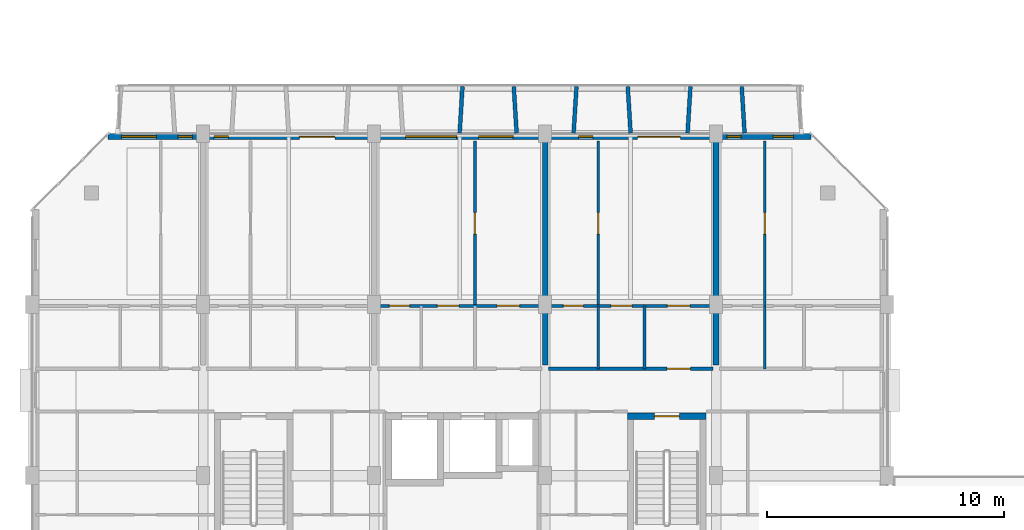
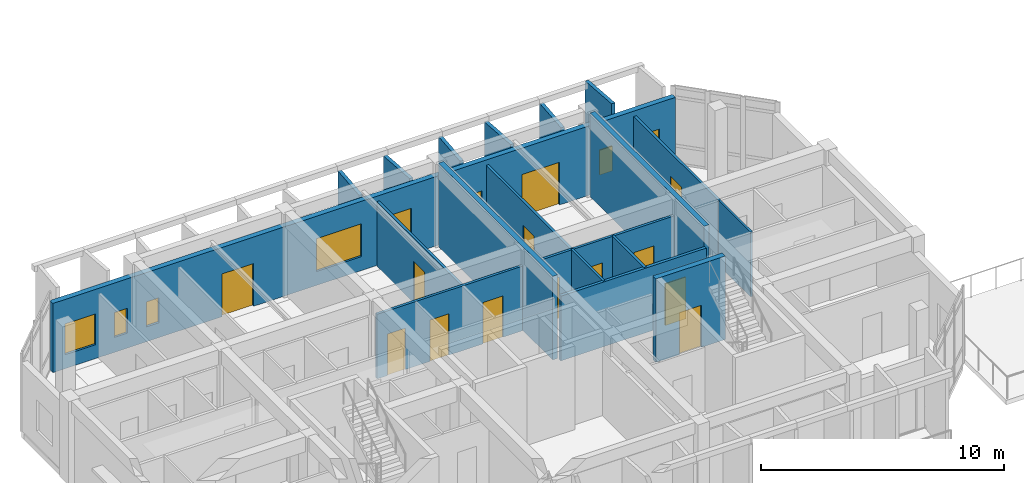
# One storey, part 53 of 85: 19 walls, 13 doors, 8 windows, 21 openings.
"""IFC4 building model written with IfcOpenShell, lengths in metres."""

from ifc_helpers import new_model, si_unit, direction, frame, frame_2d, origin, place, context, subcontext, project, spatial, rectangle, extrude, material, layer, layer_set, type_object, element, fill, save


model = new_model("IFC4")

# Units and contexts
model_context = context("Model", 3, precision=1e-05, world=origin(), true_north=direction((0.0, 1.0)))
body_context = subcontext(model_context, "Body", "Model", "MODEL_VIEW")
ifc_project = project(units=[si_unit("LENGTHUNIT", "METRE"), si_unit("AREAUNIT", "SQUARE_METRE"), si_unit("VOLUMEUNIT", "CUBIC_METRE"), si_unit("PLANEANGLEUNIT", "RADIAN"), si_unit("MASSUNIT", "GRAM", prefix="KILO")], contexts=[model_context])

# Site, building, storey
site_placement = place(None, origin())
site = spatial("IfcSite", under=ifc_project, at=site_placement, CompositionType="ELEMENT")
building_placement = place(site_placement, origin())
building = spatial("IfcBuilding", under=site, at=building_placement, Name="Ochrevale Crest", CompositionType="ELEMENT")
storey_placement = place(building_placement, frame((0.0, 0.0, 4.5)))
storey = spatial("IfcBuildingStorey", under=building, at=storey_placement, Name="L01", CompositionType="ELEMENT", Elevation=4.5)

# Wall, opening, door
ifc_material_1 = material(Name="Gypsum plasterboard", Category="gypsum")
ifc_layer_1 = layer(ifc_material_1, 0.139892578125)
ifc_layer_set_1 = layer_set([ifc_layer_1], Name="Gypsum plasterboard")
wall_type_1 = type_object("IfcWallType", Name="WL-COR-140", PredefinedType="PARTITIONING", material=ifc_layer_set_1)
wall_1_placement = place(storey_placement, frame((21.739990234375, 83.699951171875, 0.0), z_axis=(0.0, 0.0, 1.0), x_axis=(1.0, 0.0, 0.0)))
wall_1 = element("IfcWall", 1, at=wall_1_placement, inside=storey, type_object=wall_type_1, Name="Apartment B-L01-U4 corridor wall", PredefinedType="PARTITIONING", context=body_context, shape_type="SweptSolid", body=[
    extrude(rectangle(XDim=6.919921875, YDim=0.139892578125, at=frame_2d((3.4599609375, 0.0))), origin(), (0.0, 0.0, 1.0), 3.25),
])
opening_1_placement = place(wall_1_placement, frame((4.9951171875, 0.0, 0.0)))
opening_1 = element("IfcOpeningElement", 2, at=opening_1_placement, cuts=wall_1, Name="Opening FD01", PredefinedType="OPENING", context=body_context, shape_type="SweptSolid", body=[
    extrude(rectangle(XDim=0.97998046875, YDim=2.10009765625, at=frame_2d((0.489990234375, 1.050048828125))), frame((0.0, 0.080078125, 0.0), z_axis=(0.0, -1.0, 0.0), x_axis=(1.0, 0.0, 0.0)), (0.0, 0.0, 1.0), 0.159912109375),
])
ifc_material_2 = material(Name="Solid-core FSC hardwood", Category="wood")
door_type_1 = type_object("IfcDoorType", Name="DR-APT-950", OperationType="NOTDEFINED", PredefinedType="DOOR", material=ifc_material_2)
door_1_placement = place(opening_1_placement, origin())
door_1 = element("IfcDoor", 3, at=door_1_placement, inside=storey, type_object=door_type_1, Name="Apartment B-L01-U4 entrance door", OperationType="SINGLE_SWING_LEFT", OverallHeight=2.10009765625, OverallWidth=0.97998046875, PredefinedType="DOOR", context=body_context, shape_type="SweptSolid", body=[
    extrude(rectangle(XDim=0.97998046875, YDim=2.10009765625, at=frame_2d((0.489990234375, 1.050048828125))), frame((0.0, 0.02490234375, 0.0), z_axis=(0.0, -1.0, 0.0), x_axis=(1.0, 0.0, 0.0)), (0.0, 0.0, 1.0), 0.050048828125),
])
fill(opening_1, door_1)

ifc_material_3 = material(Name="Precast concrete C50/60", Category="concrete")
ifc_layer_2 = layer(ifc_material_3, 0.2548828125)
ifc_layer_set_2 = layer_set([ifc_layer_2], Name="Precast concrete C50/60")
wall_type_2 = type_object("IfcWallType", Name="WL-CORE-255", PredefinedType="SHEAR", material=ifc_layer_set_2)
wall_2_placement = place(storey_placement, frame((25.072509765625, 81.699951171875, 0.0), z_axis=(0.0, 0.0, 1.0), x_axis=(1.0, 0.0, 0.0)))
wall_2 = element("IfcWall", 4, at=wall_2_placement, inside=storey, type_object=wall_type_2, Name="Block B L01 Stair 2 precast core shear wall N", PredefinedType="SHEAR", context=body_context, shape_type="SweptSolid", body=[
    extrude(rectangle(XDim=3.304931640625, YDim=0.2548828125, at=frame_2d((1.65234375, 0.0))), origin(), (0.0, 0.0, 1.0), 4.199951171875),
])
opening_2_placement = place(wall_2_placement, frame((1.12744140625, 0.0, 0.0)))
opening_2 = element("IfcOpeningElement", 5, at=opening_2_placement, cuts=wall_2, Name="Opening FD03", PredefinedType="OPENING", context=body_context, shape_type="SweptSolid", body=[
    extrude(rectangle(XDim=1.050048828125, YDim=2.1201171875, at=frame_2d((0.52490234375, 1.06005859375))), frame((0.0, 0.137451171875, 0.0), z_axis=(0.0, -1.0, 0.0), x_axis=(1.0, 0.0, 0.0)), (0.0, 0.0, 1.0), 0.27490234375),
])
door_type_2 = type_object("IfcDoorType", Name="DR-ST-1050", OperationType="NOTDEFINED", PredefinedType="DOOR", material=ifc_material_2)
door_2_placement = place(opening_2_placement, origin())
door_2 = element("IfcDoor", 6, at=door_2_placement, inside=storey, type_object=door_type_2, Name="Block B L01 fire stair 2 door", OperationType="SINGLE_SWING_LEFT", OverallHeight=2.1201171875, OverallWidth=1.050048828125, PredefinedType="DOOR", context=body_context, shape_type="SweptSolid", body=[
    extrude(rectangle(XDim=1.050048828125, YDim=2.1201171875, at=frame_2d((0.52490234375, 1.06005859375))), frame((0.0, 0.02490234375, 0.0), z_axis=(0.0, -1.0, 0.0), x_axis=(1.0, 0.0, 0.0)), (0.0, 0.0, 1.0), 0.050048828125),
])
fill(opening_2, door_2)

# Wall, openings, doors, windows
ifc_material_4 = material(Name="Precast concrete C40/50", Category="concrete")
ifc_layer_3 = layer(ifc_material_4, 0.25)
ifc_layer_set_3 = layer_set([ifc_layer_3], Name="Precast concrete C40/50")
wall_type_3 = type_object("IfcWallType", Name="WL-EXT-GOLD-250", PredefinedType="SOLIDWALL", material=ifc_layer_set_3)
wall_3_placement = place(storey_placement, frame((32.800048828125, 93.47509765625, 0.0), z_axis=(0.0, 0.0, 1.0), x_axis=(-1.0, 0.0, 0.0)))
wall_3 = element("IfcWall", 7, at=wall_3_placement, inside=storey, type_object=wall_type_3, Name="Block B L01 external facade wall E5", PredefinedType="SOLIDWALL", context=body_context, shape_type="SweptSolid", body=[
    extrude(rectangle(XDim=29.60009765625, YDim=0.25, at=frame_2d((14.800048828125, 0.0))), origin(), (0.0, 0.0, 1.0), 3.47998046875),
])
opening_3_placement = place(wall_3_placement, frame((21.550048828125, 0.0, 0.0), z_axis=(0.0, 0.0, 1.0), x_axis=(-1.0, 0.0, 0.0)))
opening_3 = element("IfcOpeningElement", 8, at=opening_3_placement, cuts=wall_3, Name="Opening BD01", PredefinedType="OPENING", context=body_context, shape_type="SweptSolid", body=[
    extrude(rectangle(XDim=1.5, YDim=2.14990234375, at=frame_2d((0.75, 1.074951171875))), frame((0.0, 0.135009765625, 0.0), z_axis=(0.0, -1.0, 0.0), x_axis=(1.0, 0.0, 0.0)), (0.0, 0.0, 1.0), 0.27001953125),
])
opening_4_placement = place(wall_3_placement, frame((7.300048828125, 0.0, 0.0), z_axis=(0.0, 0.0, 1.0), x_axis=(-1.0, 0.0, 0.0)))
opening_4 = element("IfcOpeningElement", 9, at=opening_4_placement, cuts=wall_3, Name="Opening BD03", PredefinedType="OPENING", context=body_context, shape_type="SweptSolid", body=[
    extrude(rectangle(XDim=1.800048828125, YDim=2.14990234375, at=frame_2d((0.89990234375, 1.074951171875))), frame((0.0, 0.135009765625, 0.0), z_axis=(0.0, -1.0, 0.0), x_axis=(1.0, 0.0, 0.0)), (0.0, 0.0, 1.0), 0.27001953125),
])
opening_5_placement = place(wall_3_placement, frame((27.570068359375, 0.0, 0.699951171875)))
opening_5 = element("IfcOpeningElement", 10, at=opening_5_placement, cuts=wall_3, Name="Opening W08", PredefinedType="OPENING", context=body_context, shape_type="SweptSolid", body=[
    extrude(rectangle(XDim=1.4599609375, YDim=1.550048828125, at=frame_2d((0.72998046875, 0.77490234375))), frame((0.0, 0.135009765625, 0.0), z_axis=(0.0, -1.0, 0.0), x_axis=(1.0, 0.0, 0.0)), (0.0, 0.0, 1.0), 0.27001953125),
])
opening_6_placement = place(wall_3_placement, frame((26.0576171875, 0.0, 0.75)))
opening_6 = element("IfcOpeningElement", 11, at=opening_6_placement, cuts=wall_3, Name="Opening W01", PredefinedType="OPENING", context=body_context, shape_type="SweptSolid", body=[
    extrude(rectangle(XDim=0.60009765625, YDim=1.25, at=frame_2d((0.300048828125, 0.625))), frame((0.0, 0.135009765625, 0.0), z_axis=(0.0, -1.0, 0.0), x_axis=(1.0, 0.0, 0.0)), (0.0, 0.0, 1.0), 0.27001953125),
])
opening_7_placement = place(wall_3_placement, frame((24.54248046875, 0.0, 0.75)))
opening_7 = element("IfcOpeningElement", 12, at=opening_7_placement, cuts=wall_3, Name="Opening W01", PredefinedType="OPENING", context=body_context, shape_type="SweptSolid", body=[
    extrude(rectangle(XDim=0.60009765625, YDim=1.25, at=frame_2d((0.300048828125, 0.625))), frame((0.0, 0.135009765625, 0.0), z_axis=(0.0, -1.0, 0.0), x_axis=(1.0, 0.0, 0.0)), (0.0, 0.0, 1.0), 0.27001953125),
])
opening_8_placement = place(wall_3_placement, frame((14.925048828125, 0.0, 0.699951171875)))
opening_8 = element("IfcOpeningElement", 13, at=opening_8_placement, cuts=wall_3, Name="Opening W13", PredefinedType="OPENING", context=body_context, shape_type="SweptSolid", body=[
    extrude(rectangle(XDim=2.14990234375, YDim=1.64990234375, at=frame_2d((1.074951171875, 0.824951171875))), frame((0.0, 0.135009765625, 0.0), z_axis=(0.0, -1.0, 0.0), x_axis=(1.0, 0.0, 0.0)), (0.0, 0.0, 1.0), 0.27001953125),
])
opening_9_placement = place(wall_3_placement, frame((12.544921875, 0.0, 0.75)))
opening_9 = element("IfcOpeningElement", 14, at=opening_9_placement, cuts=wall_3, Name="Opening W08", PredefinedType="OPENING", context=body_context, shape_type="SweptSolid", body=[
    extrude(rectangle(XDim=1.4599609375, YDim=1.550048828125, at=frame_2d((0.72998046875, 0.77490234375))), frame((0.0, 0.135009765625, 0.0), z_axis=(0.0, -1.0, 0.0), x_axis=(1.0, 0.0, 0.0)), (0.0, 0.0, 1.0), 0.27001953125),
])
opening_10_placement = place(wall_3_placement, frame((9.18505859375, 0.0, 0.75)))
opening_10 = element("IfcOpeningElement", 15, at=opening_10_placement, cuts=wall_3, Name="Opening W01", PredefinedType="OPENING", context=body_context, shape_type="SweptSolid", body=[
    extrude(rectangle(XDim=0.60009765625, YDim=1.25, at=frame_2d((0.300048828125, 0.625))), frame((0.0, 0.135009765625, 0.0), z_axis=(0.0, -1.0, 0.0), x_axis=(1.0, 0.0, 0.0)), (0.0, 0.0, 1.0), 0.27001953125),
])
opening_11_placement = place(wall_3_placement, frame((2.9423828125, 0.0, 0.75)))
opening_11 = element("IfcOpeningElement", 16, at=opening_11_placement, cuts=wall_3, Name="Opening W01", PredefinedType="OPENING", context=body_context, shape_type="SweptSolid", body=[
    extrude(rectangle(XDim=0.60009765625, YDim=1.25, at=frame_2d((0.300048828125, 0.625))), frame((0.0, 0.135009765625, 0.0), z_axis=(0.0, -1.0, 0.0), x_axis=(1.0, 0.0, 0.0)), (0.0, 0.0, 1.0), 0.27001953125),
])
opening_12_placement = place(wall_3_placement, frame((0.7451171875, 0.0, 0.75)))
opening_12 = element("IfcOpeningElement", 17, at=opening_12_placement, cuts=wall_3, Name="Opening W03", PredefinedType="OPENING", context=body_context, shape_type="SweptSolid", body=[
    extrude(rectangle(XDim=0.85009765625, YDim=1.39990234375, at=frame_2d((0.425048828125, 0.699951171875))), frame((0.0, 0.135009765625, 0.0), z_axis=(0.0, -1.0, 0.0), x_axis=(1.0, 0.0, 0.0)), (0.0, 0.0, 1.0), 0.27001953125),
])
ifc_material_5 = material(Name="Anodised aluminium 6063-T5 and toughened glass", Category="aluminium")
door_type_3 = type_object("IfcDoorType", Name="DR-BAL-1500", OperationType="NOTDEFINED", PredefinedType="DOOR", material=ifc_material_5)
door_3_placement = place(opening_3_placement, origin())
door_3 = element("IfcDoor", 18, at=door_3_placement, inside=storey, type_object=door_type_3, Name="Block B L01 balcony door N2", OperationType="SINGLE_SWING_LEFT", OverallHeight=2.14990234375, OverallWidth=1.5, PredefinedType="DOOR", context=body_context, shape_type="SweptSolid", body=[
    extrude(rectangle(XDim=1.5, YDim=2.14990234375, at=frame_2d((0.75, 1.074951171875))), frame((0.0, 0.02490234375, 0.0), z_axis=(0.0, -1.0, 0.0), x_axis=(1.0, 0.0, 0.0)), (0.0, 0.0, 1.0), 0.050048828125),
])
fill(opening_3, door_3)
door_type_4 = type_object("IfcDoorType", Name="DR-BAL-1800", OperationType="NOTDEFINED", PredefinedType="DOOR", material=ifc_material_5)
door_4_placement = place(opening_4_placement, origin())
door_4 = element("IfcDoor", 19, at=door_4_placement, inside=storey, type_object=door_type_4, Name="Block B L01 balcony door N4", OperationType="SINGLE_SWING_RIGHT", OverallHeight=2.14990234375, OverallWidth=1.800048828125, PredefinedType="DOOR", context=body_context, shape_type="SweptSolid", body=[
    extrude(rectangle(XDim=1.800048828125, YDim=2.14990234375, at=frame_2d((0.89990234375, 1.074951171875))), frame((0.0, 0.02490234375, 0.0), z_axis=(0.0, -1.0, 0.0), x_axis=(1.0, 0.0, 0.0)), (0.0, 0.0, 1.0), 0.050048828125),
])
fill(opening_4, door_4)
ifc_material_6 = material(Name="Anodised aluminium 6063-T5 and low-E double glazing", Category="aluminium")
window_type_1 = type_object("IfcWindowType", Name="WIN-W01", PartitioningType="SINGLE_PANEL", PredefinedType="WINDOW", material=ifc_material_6)
window_1_placement = place(opening_6_placement, origin())
window_1 = element("IfcWindow", 20, at=window_1_placement, inside=storey, type_object=window_type_1, Name="Block B L01 Apartment B-L01-U1 Three Bedroom Family Living window", OverallHeight=1.25, OverallWidth=0.60009765625, PartitioningType="SINGLE_PANEL", PredefinedType="WINDOW", context=body_context, shape_type="SweptSolid", body=[
    extrude(rectangle(XDim=0.60009765625, YDim=1.25, at=frame_2d((0.300048828125, 0.625))), frame((0.0, 0.030029296875, 0.0), z_axis=(0.0, -1.0, 0.0), x_axis=(1.0, 0.0, 0.0)), (0.0, 0.0, 1.0), 0.06005859375),
])
fill(opening_6, window_1)
window_2_placement = place(opening_7_placement, origin())
window_2 = element("IfcWindow", 21, at=window_2_placement, inside=storey, type_object=window_type_1, Name="Block B L01 Apartment B-L01-U2 Double Bedroom window", OverallHeight=1.25, OverallWidth=0.60009765625, PartitioningType="SINGLE_PANEL", PredefinedType="WINDOW", context=body_context, shape_type="SweptSolid", body=[
    extrude(rectangle(XDim=0.60009765625, YDim=1.25, at=frame_2d((0.300048828125, 0.625))), frame((0.0, 0.030029296875, 0.0), z_axis=(0.0, -1.0, 0.0), x_axis=(1.0, 0.0, 0.0)), (0.0, 0.0, 1.0), 0.06005859375),
])
fill(opening_7, window_2)
window_3_placement = place(opening_10_placement, origin())
window_3 = element("IfcWindow", 22, at=window_3_placement, inside=storey, type_object=window_type_1, Name="Block B L01 Apartment B-L01-U4 Master Bedroom window", OverallHeight=1.25, OverallWidth=0.60009765625, PartitioningType="SINGLE_PANEL", PredefinedType="WINDOW", context=body_context, shape_type="SweptSolid", body=[
    extrude(rectangle(XDim=0.60009765625, YDim=1.25, at=frame_2d((0.300048828125, 0.625))), frame((0.0, 0.030029296875, 0.0), z_axis=(0.0, -1.0, 0.0), x_axis=(1.0, 0.0, 0.0)), (0.0, 0.0, 1.0), 0.06005859375),
])
fill(opening_10, window_3)
window_4_placement = place(opening_11_placement, origin())
window_4 = element("IfcWindow", 23, at=window_4_placement, inside=storey, type_object=window_type_1, Name="Block B L01 Apartment B-L01-U5 Twin Bedroom window", OverallHeight=1.25, OverallWidth=0.60009765625, PartitioningType="SINGLE_PANEL", PredefinedType="WINDOW", context=body_context, shape_type="SweptSolid", body=[
    extrude(rectangle(XDim=0.60009765625, YDim=1.25, at=frame_2d((0.300048828125, 0.625))), frame((0.0, 0.030029296875, 0.0), z_axis=(0.0, -1.0, 0.0), x_axis=(1.0, 0.0, 0.0)), (0.0, 0.0, 1.0), 0.06005859375),
])
fill(opening_11, window_4)
window_type_2 = type_object("IfcWindowType", Name="WIN-W03", PartitioningType="SINGLE_PANEL", PredefinedType="WINDOW", material=ifc_material_6)
window_5_placement = place(opening_12_placement, origin())
window_5 = element("IfcWindow", 24, at=window_5_placement, inside=storey, type_object=window_type_2, Name="Block B L01 Apartment B-L01-U5 Three Bedroom Family Living window", OverallHeight=1.39990234375, OverallWidth=0.85009765625, PartitioningType="SINGLE_PANEL", PredefinedType="WINDOW", context=body_context, shape_type="SweptSolid", body=[
    extrude(rectangle(XDim=0.85009765625, YDim=1.39990234375, at=frame_2d((0.425048828125, 0.699951171875))), frame((0.0, 0.030029296875, 0.0), z_axis=(0.0, -1.0, 0.0), x_axis=(1.0, 0.0, 0.0)), (0.0, 0.0, 1.0), 0.06005859375),
])
fill(opening_12, window_5)
window_type_3 = type_object("IfcWindowType", Name="WIN-W08", PartitioningType="SINGLE_PANEL", PredefinedType="WINDOW", material=ifc_material_6)
window_6_placement = place(opening_5_placement, origin())
window_6 = element("IfcWindow", 25, at=window_6_placement, inside=storey, type_object=window_type_3, Name="Block B L01 Apartment B-L01-U1 Twin Bedroom window", OverallHeight=1.550048828125, OverallWidth=1.4599609375, PartitioningType="SINGLE_PANEL", PredefinedType="WINDOW", context=body_context, shape_type="SweptSolid", body=[
    extrude(rectangle(XDim=1.4599609375, YDim=1.550048828125, at=frame_2d((0.72998046875, 0.77490234375))), frame((0.0, 0.030029296875, 0.0), z_axis=(0.0, -1.0, 0.0), x_axis=(1.0, 0.0, 0.0)), (0.0, 0.0, 1.0), 0.06005859375),
])
fill(opening_5, window_6)
window_7_placement = place(opening_9_placement, origin())
window_7 = element("IfcWindow", 26, at=window_7_placement, inside=storey, type_object=window_type_3, Name="Block B L01 Apartment B-L01-U3 One Bedroom Living Room window", OverallHeight=1.550048828125, OverallWidth=1.4599609375, PartitioningType="SINGLE_PANEL", PredefinedType="WINDOW", context=body_context, shape_type="SweptSolid", body=[
    extrude(rectangle(XDim=1.4599609375, YDim=1.550048828125, at=frame_2d((0.72998046875, 0.77490234375))), frame((0.0, 0.030029296875, 0.0), z_axis=(0.0, -1.0, 0.0), x_axis=(1.0, 0.0, 0.0)), (0.0, 0.0, 1.0), 0.06005859375),
])
fill(opening_9, window_7)
window_type_4 = type_object("IfcWindowType", Name="WIN-W13", PartitioningType="SINGLE_PANEL", PredefinedType="WINDOW", material=ifc_material_6)
window_8_placement = place(opening_8_placement, origin())
window_8 = element("IfcWindow", 27, at=window_8_placement, inside=storey, type_object=window_type_4, Name="Block B L01 Apartment B-L01-U3 Master Bedroom window", OverallHeight=1.64990234375, OverallWidth=2.14990234375, PartitioningType="SINGLE_PANEL", PredefinedType="WINDOW", context=body_context, shape_type="SweptSolid", body=[
    extrude(rectangle(XDim=2.14990234375, YDim=1.64990234375, at=frame_2d((1.074951171875, 0.824951171875))), frame((0.0, 0.030029296875, 0.0), z_axis=(0.0, -1.0, 0.0), x_axis=(1.0, 0.0, 0.0)), (0.0, 0.0, 1.0), 0.06005859375),
])
fill(opening_8, window_8)

# Walls
ifc_layer_4 = layer(ifc_material_4, 0.1650390625)
ifc_layer_set_4 = layer_set([ifc_layer_4], Name="Precast concrete C40/50")
wall_type_4 = type_object("IfcWallType", Name="WL-HC-CHEEK-165", PredefinedType="ELEMENTEDWALL", material=ifc_layer_set_4)
for number, where, z_axis, x_axis, name in (
    (28, (18.0, 93.6201171875, 0.0), (0.0, 0.0, 1.0), (0.061170732449, 0.998127317276, 0.0), "Block B L01 N precast honeycomb cheek 7"),
    (29, (20.39990234375, 93.6201171875, 0.0), (0.0, 0.0, 1.0), (-0.061046865508, 0.998134900808, 0.0), "Block B L01 N precast honeycomb cheek 8"),
):
    element("IfcWall", number, at=place(storey_placement, frame(where, z_axis=z_axis, x_axis=x_axis)), inside=storey, type_object=wall_type_4, Name=name, PredefinedType="ELEMENTEDWALL", context=body_context, shape_type="SweptSolid", body=[
        extrude(rectangle(XDim=1.963623046875, YDim=0.1650390625, at=frame_2d((0.98193359375, 0.0))), origin(), (0.0, 0.0, 1.0), 3.60009765625),
    ])
for number, where, z_axis, x_axis, name in (
    (30, (22.800048828125, 93.6201171875, 0.0), (0.0, 0.0, 1.0), (0.061046865508, 0.998134900808, 0.0), "Block B L01 N precast honeycomb cheek 9"),
    (31, (25.199951171875, 93.6201171875, 0.0), (0.0, 0.0, 1.0), (-0.061046865508, 0.998134900808, 0.0), "Block B L01 N precast honeycomb cheek 10"),
    (32, (27.60009765625, 93.6201171875, 0.0), (0.0, 0.0, 1.0), (0.061046865508, 0.998134900808, 0.0), "Block B L01 N precast honeycomb cheek 11"),
):
    element("IfcWall", number, at=place(storey_placement, frame(where, z_axis=z_axis, x_axis=x_axis)), inside=storey, type_object=wall_type_4, Name=name, PredefinedType="ELEMENTEDWALL", context=body_context, shape_type="SweptSolid", body=[
        extrude(rectangle(XDim=1.963623046875, YDim=0.1650390625, at=frame_2d((0.98193359375, 0.0))), origin(), (0.0, 0.0, 1.0), 3.6298828125),
    ])
wall_4_placement = place(storey_placement, frame((30.0, 93.6201171875, 0.0), z_axis=(0.0, 0.0, 1.0), x_axis=(-0.061170732449, 0.998127317276, 0.0)))
element("IfcWall", 33, at=wall_4_placement, inside=storey, type_object=wall_type_4, Name="Block B L01 N precast honeycomb cheek 12", PredefinedType="ELEMENTEDWALL", context=body_context, shape_type="SweptSolid", body=[
    extrude(rectangle(XDim=1.963623046875, YDim=0.1650390625, at=frame_2d((0.98193359375, 0.0))), origin(), (0.0, 0.0, 1.0), 4.0),
])

# Wall, openings, doors
ifc_layer_5 = layer(ifc_material_1, 0.1201171875)
ifc_layer_set_5 = layer_set([ifc_layer_5], Name="Gypsum plasterboard")
wall_type_5 = type_object("IfcWallType", Name="WL-PART-120", PredefinedType="PARTITIONING", material=ifc_layer_set_5)
wall_5_placement = place(storey_placement, frame((14.5400390625, 86.35009765625, 0.0), z_axis=(0.0, 0.0, 1.0), x_axis=(1.0, 0.0, 0.0)))
wall_5 = element("IfcWall", 34, at=wall_5_placement, inside=storey, type_object=wall_type_5, Name="Apartment B-L01-U3 central partition", PredefinedType="PARTITIONING", context=body_context, shape_type="SweptSolid", body=[
    extrude(rectangle(XDim=6.919921875, YDim=0.1201171875, at=frame_2d((3.4599609375, 0.0))), origin(), (0.0, 0.0, 1.0), 3.25),
])
opening_13_placement = place(wall_5_placement, frame((0.5, 0.0, 0.0)))
opening_13 = element("IfcOpeningElement", 35, at=opening_13_placement, cuts=wall_5, Name="Opening ID01", PredefinedType="OPENING", context=body_context, shape_type="SweptSolid", body=[
    extrude(rectangle(XDim=0.85009765625, YDim=2.080078125, at=frame_2d((0.425048828125, 1.0400390625))), frame((0.0, 0.070068359375, 0.0), z_axis=(0.0, -1.0, 0.0), x_axis=(1.0, 0.0, 0.0)), (0.0, 0.0, 1.0), 0.14013671875),
])
opening_14_placement = place(wall_5_placement, frame((3.4248046875, 0.0, 0.0), z_axis=(0.0, 0.0, 1.0), x_axis=(-1.0, 0.0, 0.0)))
opening_14 = element("IfcOpeningElement", 36, at=opening_14_placement, cuts=wall_5, Name="Opening ID02", PredefinedType="OPENING", context=body_context, shape_type="SweptSolid", body=[
    extrude(rectangle(XDim=0.89990234375, YDim=2.080078125, at=frame_2d((0.449951171875, 1.0400390625))), frame((0.0, 0.070068359375, 0.0), z_axis=(0.0, -1.0, 0.0), x_axis=(1.0, 0.0, 0.0)), (0.0, 0.0, 1.0), 0.14013671875),
])
opening_15_placement = place(wall_5_placement, frame((5.034912109375, 0.0, 0.0)))
opening_15 = element("IfcOpeningElement", 37, at=opening_15_placement, cuts=wall_5, Name="Opening ID06", PredefinedType="OPENING", context=body_context, shape_type="SweptSolid", body=[
    extrude(rectangle(XDim=0.949951171875, YDim=2.080078125, at=frame_2d((0.47509765625, 1.0400390625))), frame((0.0, 0.070068359375, 0.0), z_axis=(0.0, -1.0, 0.0), x_axis=(1.0, 0.0, 0.0)), (0.0, 0.0, 1.0), 0.14013671875),
])
door_type_5 = type_object("IfcDoorType", Name="DR-INT-900", OperationType="NOTDEFINED", PredefinedType="DOOR", material=ifc_material_2)
door_5_placement = place(opening_14_placement, origin())
door_5 = element("IfcDoor", 38, at=door_5_placement, inside=storey, type_object=door_type_5, Name="Apartment B-L01-U3 Kitchen door", OperationType="SINGLE_SWING_RIGHT", OverallHeight=2.080078125, OverallWidth=0.89990234375, PredefinedType="DOOR", context=body_context, shape_type="SweptSolid", body=[
    extrude(rectangle(XDim=0.89990234375, YDim=2.080078125, at=frame_2d((0.449951171875, 1.0400390625))), frame((0.0, 0.02490234375, 0.0), z_axis=(0.0, -1.0, 0.0), x_axis=(1.0, 0.0, 0.0)), (0.0, 0.0, 1.0), 0.050048828125),
])
fill(opening_14, door_5)
door_type_6 = type_object("IfcDoorType", Name="DR-INT-950", OperationType="NOTDEFINED", PredefinedType="DOOR", material=ifc_material_2)
door_6_placement = place(opening_15_placement, origin())
door_6 = element("IfcDoor", 39, at=door_6_placement, inside=storey, type_object=door_type_6, Name="Apartment B-L01-U3 Living Foyer door", OperationType="SINGLE_SWING_LEFT", OverallHeight=2.080078125, OverallWidth=0.949951171875, PredefinedType="DOOR", context=body_context, shape_type="SweptSolid", body=[
    extrude(rectangle(XDim=0.949951171875, YDim=2.080078125, at=frame_2d((0.47509765625, 1.0400390625))), frame((0.0, 0.02490234375, 0.0), z_axis=(0.0, -1.0, 0.0), x_axis=(1.0, 0.0, 0.0)), (0.0, 0.0, 1.0), 0.050048828125),
])
fill(opening_15, door_6)
door_type_7 = type_object("IfcDoorType", Name="DR-WC-850", OperationType="NOTDEFINED", PredefinedType="DOOR", material=ifc_material_2)
door_7_placement = place(opening_13_placement, origin())
door_7 = element("IfcDoor", 40, at=door_7_placement, inside=storey, type_object=door_type_7, Name="Apartment B-L01-U3 Bathroom door", OperationType="SINGLE_SWING_LEFT", OverallHeight=2.080078125, OverallWidth=0.85009765625, PredefinedType="DOOR", context=body_context, shape_type="SweptSolid", body=[
    extrude(rectangle(XDim=0.85009765625, YDim=2.080078125, at=frame_2d((0.425048828125, 1.0400390625))), frame((0.0, 0.02490234375, 0.0), z_axis=(0.0, -1.0, 0.0), x_axis=(1.0, 0.0, 0.0)), (0.0, 0.0, 1.0), 0.050048828125),
])
fill(opening_13, door_7)

# Wall, opening, door
wall_6_placement = place(storey_placement, frame((18.639892578125, 86.35009765625, 0.0), z_axis=(0.0, 0.0, 1.0), x_axis=(0.0, 1.0, 0.0)))
wall_6 = element("IfcWall", 41, at=wall_6_placement, inside=storey, type_object=wall_type_5, Name="Apartment B-L01-U3 bedroom partition", PredefinedType="PARTITIONING", context=body_context, shape_type="SweptSolid", body=[
    extrude(rectangle(XDim=6.949951171875, YDim=0.1201171875, at=frame_2d((3.47509765625, 0.0))), origin(), (0.0, 0.0, 1.0), 3.25),
])
opening_16_placement = place(wall_6_placement, frame((3.9248046875, 0.0, 0.0), z_axis=(0.0, 0.0, 1.0), x_axis=(-1.0, 0.0, 0.0)))
opening_16 = element("IfcOpeningElement", 42, at=opening_16_placement, cuts=wall_6, Name="Opening ID02", PredefinedType="OPENING", context=body_context, shape_type="SweptSolid", body=[
    extrude(rectangle(XDim=0.89990234375, YDim=2.080078125, at=frame_2d((0.449951171875, 1.0400390625))), frame((0.0, 0.070068359375, 0.0), z_axis=(0.0, -1.0, 0.0), x_axis=(1.0, 0.0, 0.0)), (0.0, 0.0, 1.0), 0.14013671875),
])
door_8_placement = place(opening_16_placement, origin())
door_8 = element("IfcDoor", 43, at=door_8_placement, inside=storey, type_object=door_type_5, Name="Apartment B-L01-U3 Master Bedroom door", OperationType="SINGLE_SWING_RIGHT", OverallHeight=2.080078125, OverallWidth=0.89990234375, PredefinedType="DOOR", context=body_context, shape_type="SweptSolid", body=[
    extrude(rectangle(XDim=0.89990234375, YDim=2.080078125, at=frame_2d((0.449951171875, 1.0400390625))), frame((0.0, 0.02490234375, 0.0), z_axis=(0.0, -1.0, 0.0), x_axis=(1.0, 0.0, 0.0)), (0.0, 0.0, 1.0), 0.050048828125),
])
fill(opening_16, door_8)

# Wall
wall_7_placement = place(storey_placement, frame((25.7900390625, 83.699951171875, 0.0), z_axis=(0.0, 0.0, 1.0), x_axis=(0.0, 1.0, 0.0)))
element("IfcWall", 44, at=wall_7_placement, inside=storey, type_object=wall_type_5, Name="Apartment B-L01-U4 kitchen-foyer wall", PredefinedType="PARTITIONING", context=body_context, shape_type="SweptSolid", body=[
    extrude(rectangle(XDim=2.650146484375, YDim=0.1201171875, at=frame_2d((1.3251953125, 0.0))), origin(), (0.0, 0.0, 1.0), 3.25),
])

# Wall, openings, doors
wall_8_placement = place(storey_placement, frame((21.739990234375, 86.35009765625, 0.0), z_axis=(0.0, 0.0, 1.0), x_axis=(1.0, 0.0, 0.0)))
wall_8 = element("IfcWall", 45, at=wall_8_placement, inside=storey, type_object=wall_type_5, Name="Apartment B-L01-U4 central partition", PredefinedType="PARTITIONING", context=body_context, shape_type="SweptSolid", body=[
    extrude(rectangle(XDim=6.919921875, YDim=0.1201171875, at=frame_2d((3.4599609375, 0.0))), origin(), (0.0, 0.0, 1.0), 3.25),
])
opening_17_placement = place(wall_8_placement, frame((1.47509765625, 0.0, 0.0), z_axis=(0.0, 0.0, 1.0), x_axis=(-1.0, 0.0, 0.0)))
opening_17 = element("IfcOpeningElement", 46, at=opening_17_placement, cuts=wall_8, Name="Opening ID01", PredefinedType="OPENING", context=body_context, shape_type="SweptSolid", body=[
    extrude(rectangle(XDim=0.85009765625, YDim=2.080078125, at=frame_2d((0.425048828125, 1.0400390625))), frame((0.0, 0.070068359375, 0.0), z_axis=(0.0, -1.0, 0.0), x_axis=(1.0, 0.0, 0.0)), (0.0, 0.0, 1.0), 0.14013671875),
])
opening_18_placement = place(wall_8_placement, frame((2.625, 0.0, 0.0)))
opening_18 = element("IfcOpeningElement", 47, at=opening_18_placement, cuts=wall_8, Name="Opening ID02", PredefinedType="OPENING", context=body_context, shape_type="SweptSolid", body=[
    extrude(rectangle(XDim=0.89990234375, YDim=2.080078125, at=frame_2d((0.449951171875, 1.0400390625))), frame((0.0, 0.070068359375, 0.0), z_axis=(0.0, -1.0, 0.0), x_axis=(1.0, 0.0, 0.0)), (0.0, 0.0, 1.0), 0.14013671875),
])
opening_19_placement = place(wall_8_placement, frame((5.9599609375, 0.0, 0.0), z_axis=(0.0, 0.0, 1.0), x_axis=(-1.0, 0.0, 0.0)))
opening_19 = element("IfcOpeningElement", 48, at=opening_19_placement, cuts=wall_8, Name="Opening ID06", PredefinedType="OPENING", context=body_context, shape_type="SweptSolid", body=[
    extrude(rectangle(XDim=0.949951171875, YDim=2.080078125, at=frame_2d((0.47509765625, 1.0400390625))), frame((0.0, 0.070068359375, 0.0), z_axis=(0.0, -1.0, 0.0), x_axis=(1.0, 0.0, 0.0)), (0.0, 0.0, 1.0), 0.14013671875),
])
door_9_placement = place(opening_18_placement, origin())
door_9 = element("IfcDoor", 49, at=door_9_placement, inside=storey, type_object=door_type_5, Name="Apartment B-L01-U4 Kitchen door", OperationType="SINGLE_SWING_LEFT", OverallHeight=2.080078125, OverallWidth=0.89990234375, PredefinedType="DOOR", context=body_context, shape_type="SweptSolid", body=[
    extrude(rectangle(XDim=0.89990234375, YDim=2.080078125, at=frame_2d((0.449951171875, 1.0400390625))), frame((0.0, 0.02490234375, 0.0), z_axis=(0.0, -1.0, 0.0), x_axis=(1.0, 0.0, 0.0)), (0.0, 0.0, 1.0), 0.050048828125),
])
fill(opening_18, door_9)
door_10_placement = place(opening_19_placement, origin())
door_10 = element("IfcDoor", 50, at=door_10_placement, inside=storey, type_object=door_type_6, Name="Apartment B-L01-U4 Living Foyer door", OperationType="SINGLE_SWING_RIGHT", OverallHeight=2.080078125, OverallWidth=0.949951171875, PredefinedType="DOOR", context=body_context, shape_type="SweptSolid", body=[
    extrude(rectangle(XDim=0.949951171875, YDim=2.080078125, at=frame_2d((0.47509765625, 1.0400390625))), frame((0.0, 0.02490234375, 0.0), z_axis=(0.0, -1.0, 0.0), x_axis=(1.0, 0.0, 0.0)), (0.0, 0.0, 1.0), 0.050048828125),
])
fill(opening_19, door_10)
door_11_placement = place(opening_17_placement, origin())
door_11 = element("IfcDoor", 51, at=door_11_placement, inside=storey, type_object=door_type_7, Name="Apartment B-L01-U4 Bathroom door", OperationType="SINGLE_SWING_RIGHT", OverallHeight=2.080078125, OverallWidth=0.85009765625, PredefinedType="DOOR", context=body_context, shape_type="SweptSolid", body=[
    extrude(rectangle(XDim=0.85009765625, YDim=2.080078125, at=frame_2d((0.425048828125, 1.0400390625))), frame((0.0, 0.02490234375, 0.0), z_axis=(0.0, -1.0, 0.0), x_axis=(1.0, 0.0, 0.0)), (0.0, 0.0, 1.0), 0.050048828125),
])
fill(opening_17, door_11)

# Wall, opening, door
wall_9_placement = place(storey_placement, frame((23.840087890625, 86.35009765625, 0.0), z_axis=(0.0, 0.0, 1.0), x_axis=(0.0, 1.0, 0.0)))
wall_9 = element("IfcWall", 52, at=wall_9_placement, inside=storey, type_object=wall_type_5, Name="Apartment B-L01-U4 bedroom partition", PredefinedType="PARTITIONING", context=body_context, shape_type="SweptSolid", body=[
    extrude(rectangle(XDim=6.949951171875, YDim=0.1201171875, at=frame_2d((3.47509765625, 0.0))), origin(), (0.0, 0.0, 1.0), 3.25),
])
opening_20_placement = place(wall_9_placement, frame((3.02490234375, 0.0, 0.0)))
opening_20 = element("IfcOpeningElement", 53, at=opening_20_placement, cuts=wall_9, Name="Opening ID02", PredefinedType="OPENING", context=body_context, shape_type="SweptSolid", body=[
    extrude(rectangle(XDim=0.89990234375, YDim=2.080078125, at=frame_2d((0.449951171875, 1.0400390625))), frame((0.0, 0.070068359375, 0.0), z_axis=(0.0, -1.0, 0.0), x_axis=(1.0, 0.0, 0.0)), (0.0, 0.0, 1.0), 0.14013671875),
])
door_12_placement = place(opening_20_placement, origin())
door_12 = element("IfcDoor", 54, at=door_12_placement, inside=storey, type_object=door_type_5, Name="Apartment B-L01-U4 Master Bedroom door", OperationType="SINGLE_SWING_LEFT", OverallHeight=2.080078125, OverallWidth=0.89990234375, PredefinedType="DOOR", context=body_context, shape_type="SweptSolid", body=[
    extrude(rectangle(XDim=0.89990234375, YDim=2.080078125, at=frame_2d((0.449951171875, 1.0400390625))), frame((0.0, 0.02490234375, 0.0), z_axis=(0.0, -1.0, 0.0), x_axis=(1.0, 0.0, 0.0)), (0.0, 0.0, 1.0), 0.050048828125),
])
fill(opening_20, door_12)

wall_10_placement = place(storey_placement, frame((30.85009765625, 86.35009765625, 0.0), z_axis=(0.0, 0.0, 1.0), x_axis=(0.0, 1.0, 0.0)))
wall_10 = element("IfcWall", 55, at=wall_10_placement, inside=storey, type_object=wall_type_5, Name="Apartment B-L01-U5 bedroom partition", PredefinedType="PARTITIONING", context=body_context, shape_type="SweptSolid", body=[
    extrude(rectangle(XDim=6.949951171875, YDim=0.1201171875, at=frame_2d((3.47509765625, 0.0))), origin(), (0.0, 0.0, 1.0), 3.25),
])
opening_21_placement = place(wall_10_placement, frame((3.9248046875, 0.0, 0.0), z_axis=(0.0, 0.0, 1.0), x_axis=(-1.0, 0.0, 0.0)))
opening_21 = element("IfcOpeningElement", 56, at=opening_21_placement, cuts=wall_10, Name="Opening ID02", PredefinedType="OPENING", context=body_context, shape_type="SweptSolid", body=[
    extrude(rectangle(XDim=0.89990234375, YDim=2.080078125, at=frame_2d((0.449951171875, 1.0400390625))), frame((0.0, 0.070068359375, 0.0), z_axis=(0.0, -1.0, 0.0), x_axis=(1.0, 0.0, 0.0)), (0.0, 0.0, 1.0), 0.14013671875),
])
door_13_placement = place(opening_21_placement, origin())
door_13 = element("IfcDoor", 57, at=door_13_placement, inside=storey, type_object=door_type_5, Name="Apartment B-L01-U5 Twin Bedroom door", OperationType="SINGLE_SWING_RIGHT", OverallHeight=2.080078125, OverallWidth=0.89990234375, PredefinedType="DOOR", context=body_context, shape_type="SweptSolid", body=[
    extrude(rectangle(XDim=0.89990234375, YDim=2.080078125, at=frame_2d((0.449951171875, 1.0400390625))), frame((0.0, 0.02490234375, 0.0), z_axis=(0.0, -1.0, 0.0), x_axis=(1.0, 0.0, 0.0)), (0.0, 0.0, 1.0), 0.050048828125),
])
fill(opening_21, door_13)

# Walls
ifc_layer_6 = layer(ifc_material_3, 0.239990234375)
ifc_layer_set_6 = layer_set([ifc_layer_6], Name="Precast concrete C50/60")
wall_type_6 = type_object("IfcWallType", Name="WL-SHEAR-240", PredefinedType="SHEAR", material=ifc_layer_set_6)
for number, where, z_axis, x_axis, name in (
    (58, (21.60009765625, 83.85009765625, 0.0), (0.0, 0.0, 1.0), (0.0, 1.0, 0.0), "Block B L01 load-bearing precast cross-wall X=21.6"),
    (59, (28.800048828125, 83.85009765625, 0.0), (0.0, 0.0, 1.0), (0.0, 1.0, 0.0), "Block B L01 load-bearing precast cross-wall X=28.8"),
):
    element("IfcWall", number, at=place(storey_placement, frame(where, z_axis=z_axis, x_axis=x_axis)), inside=storey, type_object=wall_type_6, Name=name, PredefinedType="SHEAR", context=body_context, shape_type="SweptSolid", body=[
        extrude(rectangle(XDim=9.39990234375, YDim=0.239990234375, at=frame_2d((4.699951171875, 0.0))), origin(), (0.0, 0.0, 1.0), 4.199951171875),
    ])
ifc_layer_7 = layer(ifc_material_1, 0.10009765625)
ifc_layer_set_7 = layer_set([ifc_layer_7], Name="Gypsum plasterboard")
wall_type_7 = type_object("IfcWallType", Name="WL-WET-100", PredefinedType="PARTITIONING", material=ifc_layer_set_7)
for number, where, z_axis, x_axis, name in (
    (60, (23.840087890625, 83.699951171875, 0.0), (0.0, 0.0, 1.0), (0.0, 1.0, 0.0), "Apartment B-L01-U4 bath-kitchen wall"),
    (61, (30.85009765625, 83.699951171875, 0.0), (0.0, 0.0, 1.0), (0.0, 1.0, 0.0), "Apartment B-L01-U5 bath-kitchen wall"),
):
    element("IfcWall", number, at=place(storey_placement, frame(where, z_axis=z_axis, x_axis=x_axis)), inside=storey, type_object=wall_type_7, Name=name, PredefinedType="PARTITIONING", context=body_context, shape_type="SweptSolid", body=[
        extrude(rectangle(XDim=2.650146484375, YDim=0.10009765625, at=frame_2d((1.3251953125, 0.0))), origin(), (0.0, 0.0, 1.0), 3.25),
    ])

save(model, "model.ifc")
